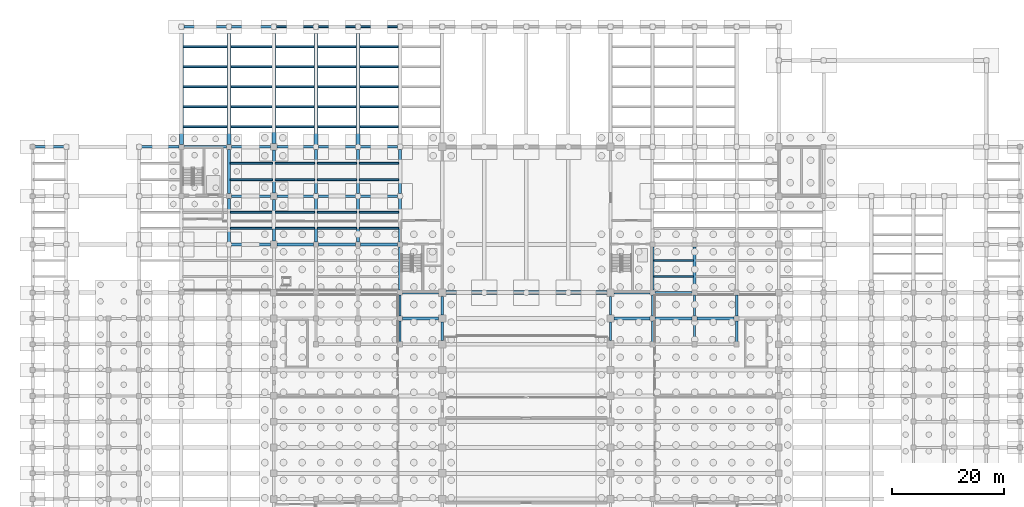
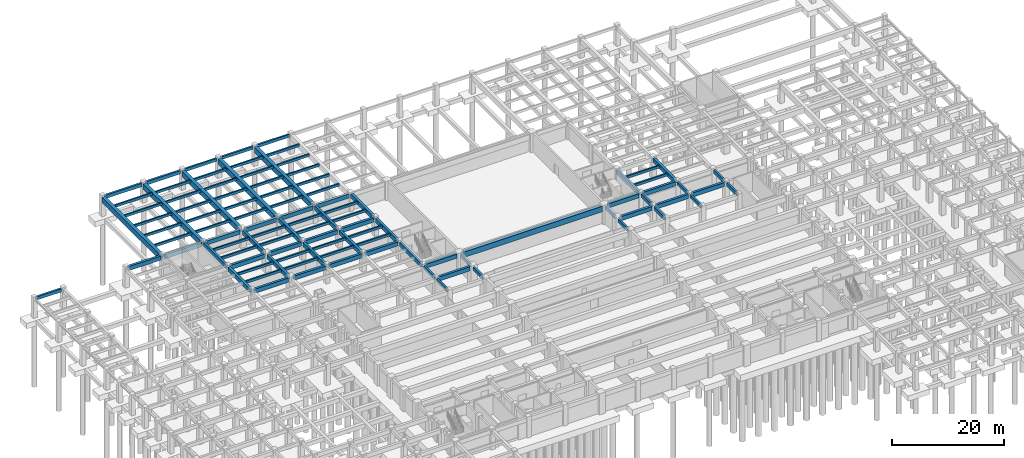
# One storey, part 16 of 32: 101 beams.
"""IFC4 building model written with IfcOpenShell, lengths in metres."""

import ifcopenshell
import ifcopenshell.guid

model = None  # the IFC model being written
_history = None  # IfcOwnerHistory: only IFC2X3 demands one
_inside = {}  # id of a spatial element -> (the spatial element, [elements in it])
_under = {}  # id of a project, library or spatial element -> (it, [spatial elements below it])
_declared = {}  # id of a project -> (the project, [libraries it declares])
_typed = {}  # id of a type object -> (the type object, [elements of that type])
_made_of = {}  # id of a material, layer set ... -> (it, [elements and type objects made of it])


def new_model(schema):
    """Start an empty IFC model of exactly this schema.

    Asked for "IFC4X3", IfcOpenShell would pick the latest addendum, in which some entities
    have other attributes; the version numbers below select the first issue.
    IFC2X3 requires an IfcOwnerHistory on every rooted entity: one is made here for all.
    """
    global model, _history
    if schema == "IFC4X3":
        model = ifcopenshell.file(schema_version=(4, 3, 0, 0))
    else:
        model = ifcopenshell.file(schema=schema)
    _inside.clear()
    _under.clear()
    _declared.clear()
    _typed.clear()
    _made_of.clear()
    _history = None
    if model.schema == "IFC2X3":
        org = make("IfcOrganization", Name="unknown")
        user = make(
            "IfcPersonAndOrganization",
            ThePerson=make("IfcPerson", FamilyName="unknown"),
            TheOrganization=org,
        )
        app = make(
            "IfcApplication",
            ApplicationDeveloper=org,
            Version="unknown",
            ApplicationFullName="unknown",
            ApplicationIdentifier="unknown",
        )
        _history = make(
            "IfcOwnerHistory",
            OwningUser=user,
            OwningApplication=app,
            ChangeAction="ADDED",
            CreationDate=0,
        )
    return model


def make(cls, **values):
    """One entity of the class cls with the attributes given. An attribute that is None is left unset."""
    return model.create_entity(
        cls, **{name: value for name, value in values.items() if value is not None}
    )


def rooted(cls, **values):
    """An entity with a GlobalId (a new one), such as an element, a storey or a relation."""
    return make(cls, GlobalId=ifcopenshell.guid.new(), OwnerHistory=_history, **values)


def si_unit(unit_type, name, prefix=None):
    """IfcSIUnit, for example si_unit("LENGTHUNIT", "METRE", prefix="MILLI")."""
    return make("IfcSIUnit", UnitType=unit_type, Prefix=prefix, Name=name)


def assignment(units):
    """IfcUnitAssignment: the units of a project."""
    return None if units is None else make("IfcUnitAssignment", Units=units)


def point(xyz):
    """IfcCartesianPoint."""
    return None if xyz is None else make("IfcCartesianPoint", Coordinates=xyz)


def direction(xyz):
    """IfcDirection."""
    return None if xyz is None else make("IfcDirection", DirectionRatios=xyz)


def frame(location, z_axis=None, x_axis=None):
    """IfcAxis2Placement3D, a coordinate frame: its origin and axes. An axis left out is left unset."""
    return make(
        "IfcAxis2Placement3D",
        Location=point(location),
        Axis=direction(z_axis),
        RefDirection=direction(x_axis),
    )


def frame_2d(location, x_axis=None):
    """IfcAxis2Placement2D, a coordinate frame in the plane: its origin and x axis."""
    return make(
        "IfcAxis2Placement2D", Location=point(location), RefDirection=direction(x_axis)
    )


def origin():
    """The frame at (0, 0, 0) with its axes left unset."""
    return frame((0.0, 0.0, 0.0))


def origin_2d():
    """The frame at (0, 0) in the plane with its x axis left unset."""
    return frame_2d((0.0, 0.0))


def place(relative_to, where):
    """IfcLocalPlacement: puts the frame where relative to a parent placement (None: the world)."""
    return make(
        "IfcLocalPlacement", PlacementRelTo=relative_to, RelativePlacement=where
    )


def context(
    kind, dimensions, precision=None, world=None, true_north=None, identifier=None
):
    """IfcGeometricRepresentationContext, for example the 3D "Model" context."""
    return make(
        "IfcGeometricRepresentationContext",
        ContextIdentifier=identifier,
        ContextType=kind,
        CoordinateSpaceDimension=dimensions,
        Precision=precision,
        WorldCoordinateSystem=world,
        TrueNorth=true_north,
    )


def subcontext(parent, identifier, kind, view, scale=None):
    """IfcGeometricRepresentationSubContext, for example "Body" below "Model"."""
    return make(
        "IfcGeometricRepresentationSubContext",
        ContextIdentifier=identifier,
        ContextType=kind,
        ParentContext=parent,
        TargetScale=scale,
        TargetView=view,
    )


def project(units=None, contexts=None):
    """IfcProject with its units and contexts."""
    return rooted(
        "IfcProject",
        Name="project",
        RepresentationContexts=contexts,
        UnitsInContext=assignment(units),
    )


def spatial(cls, under=None, at=None, **own):
    """A site, building, storey or space (cls), placed at a placement, below another one or the project."""
    s = rooted(cls, ObjectPlacement=at, **own)
    if under is not None:
        _under.setdefault(under.id(), (under, []))[1].append(s)
    return s


def profile(cls, at=None, kind="AREA", **sizes):
    """A parametric profile (cls). Its sizes go by their IFC names, for example OverallWidth=200.0."""
    return make(cls, ProfileType=kind, Position=at, **sizes)


def rectangle(**sizes):
    """IfcRectangleProfileDef."""
    return profile("IfcRectangleProfileDef", **sizes)


def extrude(swept, where, along, depth):
    """IfcExtrudedAreaSolid: the profile swept, set in the frame where, extruded along a direction by depth."""
    return make(
        "IfcExtrudedAreaSolid",
        SweptArea=swept,
        Position=where,
        ExtrudedDirection=direction(along),
        Depth=depth,
    )


def shape(context_of_items, identifier, shape_type, items):
    """IfcShapeRepresentation: the items that make up one representation, for example the "Body"."""
    return make(
        "IfcShapeRepresentation",
        ContextOfItems=context_of_items,
        RepresentationIdentifier=identifier,
        RepresentationType=shape_type,
        Items=items,
    )


def material(Name=None, Category=None):
    """IfcMaterial."""
    return make("IfcMaterial", Name=Name, Category=Category)


def material_profile(
    of_material, cross_section, Name=None, Category=None, Priority=None
):
    """IfcMaterialProfile: a cross section and its material."""
    return make(
        "IfcMaterialProfile",
        Name=Name,
        Material=of_material,
        Profile=cross_section,
        Priority=Priority,
        Category=Category,
    )


def profile_set(profiles, Name=None, composite=None):
    """IfcMaterialProfileSet."""
    return make(
        "IfcMaterialProfileSet",
        Name=Name,
        MaterialProfiles=profiles,
        CompositeProfile=composite,
    )


def made_of(thing, what):
    """Note that an element or type object is made of a material, layer set ...; save() writes the relation."""
    if what is not None:
        _made_of.setdefault(what.id(), (what, []))[1].append(thing)
    return thing


def type_object(cls, material=None, **own):
    """A type object (cls), such as IfcWallType, which elements share."""
    return made_of(rooted(cls, **own), material)


def element(
    cls,
    number,
    at=None,
    inside=None,
    cuts=None,
    type_object=None,
    material=None,
    context=None,
    identifier="Body",
    shape_type=None,
    held_by="IfcProductDefinitionShape",
    body=None,
    shapes=None,
    **own,
):
    """One element of the class cls, such as IfcWall. Its Tag is "e" and its number.

    at: its placement. inside: the storey or other place that contains it. cuts: it is an
    opening in that element (IfcRelVoidsElement). A single representation is given by context,
    identifier, shape_type and body (its items); several are given by shapes. held_by: the class
    of the entity that holds the representations. save() writes the other relations.
    """
    e = rooted(cls, Tag="e%d" % number, ObjectPlacement=at, **own)
    if body is not None:
        shapes = [shape(context, identifier, shape_type, body)]
    if shapes is not None:
        e.Representation = make(held_by, Representations=shapes)
    if inside is not None:
        _inside.setdefault(inside.id(), (inside, []))[1].append(e)
    if cuts is not None:
        rooted(
            "IfcRelVoidsElement", RelatingBuildingElement=cuts, RelatedOpeningElement=e
        )
    if type_object is not None:
        _typed.setdefault(type_object.id(), (type_object, []))[1].append(e)
    return made_of(e, material)


def aggregate(whole, parts):
    """IfcRelAggregates: a whole, such as a stair, and the parts it consists of."""
    return rooted("IfcRelAggregates", RelatingObject=whole, RelatedObjects=parts)


def save(model, path):
    """Write the relations noted so far, then the file.

    IfcRelAggregates (storeys below a building ...), IfcRelContainedInSpatialStructure (elements
    in a storey), IfcRelDefinesByType, IfcRelAssociatesMaterial and IfcRelDeclares: one each for
    every whole, place, type object, material and project.
    """
    for whole, parts in _under.values():
        aggregate(whole, parts)
    for where, things in _inside.values():
        rooted(
            "IfcRelContainedInSpatialStructure",
            RelatedElements=things,
            RelatingStructure=where,
        )
    for kind, things in _typed.values():
        rooted("IfcRelDefinesByType", RelatedObjects=things, RelatingType=kind)
    for what, things in _made_of.values():
        rooted("IfcRelAssociatesMaterial", RelatedObjects=things, RelatingMaterial=what)
    for by, libraries in _declared.values():
        rooted("IfcRelDeclares", RelatingContext=by, RelatedDefinitions=libraries)
    model.write(path)


model = new_model("IFC4")

# Units and contexts
model_context = context("Model", 3, precision=1e-05, world=origin(), true_north=direction((0.0, 1.0)))
body_context = subcontext(model_context, "Body", "Model", "MODEL_VIEW")
ifc_project = project(units=[si_unit("LENGTHUNIT", "METRE"), si_unit("AREAUNIT", "SQUARE_METRE"), si_unit("VOLUMEUNIT", "CUBIC_METRE"), si_unit("PLANEANGLEUNIT", "RADIAN"), si_unit("MASSUNIT", "GRAM", prefix="KILO")], contexts=[model_context])

# Site, building, storey
site_placement = place(None, origin())
site = spatial("IfcSite", under=ifc_project, at=site_placement, CompositionType="ELEMENT")
building_placement = place(site_placement, origin())
building = spatial("IfcBuilding", under=site, at=building_placement, Name="Muzn Square Opera House", CompositionType="ELEMENT")
storey_placement = place(building_placement, frame((0.0, 0.0, -4.199951171875)))
storey = spatial("IfcBuildingStorey", under=building, at=storey_placement, Name="B1", CompositionType="ELEMENT", Elevation=-4.199951171875)

# Beams
ifc_material = material(Name="Concrete C40/50", Category="concrete")
ifc_material_profile_1 = material_profile(ifc_material, rectangle(XDim=0.300048828125, YDim=0.550048828125, at=origin_2d()), Name="RCJ 300x550", Category="concrete")
ifc_profile_set_1 = profile_set([ifc_material_profile_1], Name="Concrete C40/50")
beam_type_1 = type_object("IfcBeamType", Name="Floor Joist 300x550", PredefinedType="JOIST", material=ifc_profile_set_1)
for number, where, z_axis, x_axis, name in (
    (1, (26.842041015625, 102.166748046875, 3.56494140625), (1.0, 0.0, 0.0), (0.0, 1.0, 0.0), "Floor Joist BM-B1-BM-J550-268_1022_347_1022-601"),
    (2, (26.842041015625, 105.7333984375, 3.56494140625), (1.0, 0.0, 0.0), (0.0, 1.0, 0.0), "Floor Joist BM-B1-BM-J550-268_1057_347_1057-602"),
    (3, (26.842041015625, 109.300048828125, 3.56494140625), (1.0, 0.0, 0.0), (0.0, 1.0, 0.0), "Floor Joist BM-B1-BM-J550-268_1093_347_1093-603"),
    (4, (26.842041015625, 112.86669921875, 3.56494140625), (1.0, 0.0, 0.0), (0.0, 1.0, 0.0), "Floor Joist BM-B1-BM-J550-268_1129_347_1129-604"),
    (5, (26.842041015625, 116.433349609375, 3.56494140625), (1.0, 0.0, 0.0), (0.0, 1.0, 0.0), "Floor Joist BM-B1-BM-J550-268_1164_347_1164-605"),
):
    element("IfcBeam", number, at=place(storey_placement, frame(where, z_axis=z_axis, x_axis=x_axis)), inside=storey, type_object=beam_type_1, Name=name, PredefinedType="JOIST", context=body_context, shape_type="SweptSolid", body=[
        extrude(rectangle(XDim=0.300048828125, YDim=0.550048828125, at=origin_2d()), origin(), (0.0, 0.0, 1.0), 7.81591796875),
    ])
for number, where, z_axis, x_axis, name in (
    (6, (35.241943359375, 84.066650390625, 3.60498046875), (1.0, 0.0, 0.0), (0.0, 1.0, 0.0), "Floor Joist BM-B1-BM-J550-352_841_428_841-610"),
    (7, (35.241943359375, 86.933349609375, 3.60498046875), (1.0, 0.0, 0.0), (0.0, 1.0, 0.0), "Floor Joist BM-B1-BM-J550-352_869_428_869-611"),
    (8, (35.241943359375, 92.7333984375, 3.60498046875), (1.0, 0.0, 0.0), (0.0, 1.0, 0.0), "Floor Joist BM-B1-BM-J550-352_927_428_927-612"),
    (9, (35.241943359375, 95.666748046875, 3.60498046875), (1.0, 0.0, 0.0), (0.0, 1.0, 0.0), "Floor Joist BM-B1-BM-J550-352_957_428_957-613"),
):
    element("IfcBeam", number, at=place(storey_placement, frame(where, z_axis=z_axis, x_axis=x_axis)), inside=storey, type_object=beam_type_1, Name=name, PredefinedType="JOIST", context=body_context, shape_type="SweptSolid", body=[
        extrude(rectangle(XDim=0.300048828125, YDim=0.550048828125, at=origin_2d()), origin(), (0.0, 0.0, 1.0), 7.51611328125),
    ])
for number, where, z_axis, x_axis, name in (
    (10, (35.342041015625, 102.166748046875, 3.56494140625), (1.0, 0.0, 0.0), (0.0, 1.0, 0.0), "Floor Joist BM-B1-BM-J550-353_1022_427_1022-614"),
    (11, (35.342041015625, 105.7333984375, 3.56494140625), (1.0, 0.0, 0.0), (0.0, 1.0, 0.0), "Floor Joist BM-B1-BM-J550-353_1057_427_1057-615"),
    (12, (35.342041015625, 109.300048828125, 3.56494140625), (1.0, 0.0, 0.0), (0.0, 1.0, 0.0), "Floor Joist BM-B1-BM-J550-353_1093_427_1093-616"),
    (13, (35.342041015625, 112.86669921875, 3.56494140625), (1.0, 0.0, 0.0), (0.0, 1.0, 0.0), "Floor Joist BM-B1-BM-J550-353_1129_427_1129-617"),
    (14, (35.342041015625, 116.433349609375, 3.56494140625), (1.0, 0.0, 0.0), (0.0, 1.0, 0.0), "Floor Joist BM-B1-BM-J550-353_1164_427_1164-618"),
):
    element("IfcBeam", number, at=place(storey_placement, frame(where, z_axis=z_axis, x_axis=x_axis)), inside=storey, type_object=beam_type_1, Name=name, PredefinedType="JOIST", context=body_context, shape_type="SweptSolid", body=[
        extrude(rectangle(XDim=0.300048828125, YDim=0.550048828125, at=origin_2d()), origin(), (0.0, 0.0, 1.0), 7.31591796875),
    ])
for number, where, z_axis, x_axis, name in (
    (15, (43.241943359375, 84.066650390625, 3.60498046875), (1.0, 0.0, 0.0), (0.0, 1.0, 0.0), "Floor Joist BM-B1-BM-J550-432_841_503_841-623"),
    (16, (43.241943359375, 86.933349609375, 3.60498046875), (1.0, 0.0, 0.0), (0.0, 1.0, 0.0), "Floor Joist BM-B1-BM-J550-432_869_503_869-624"),
    (17, (43.241943359375, 92.7333984375, 3.60498046875), (1.0, 0.0, 0.0), (0.0, 1.0, 0.0), "Floor Joist BM-B1-BM-J550-432_927_503_927-625"),
    (18, (43.241943359375, 95.666748046875, 3.60498046875), (1.0, 0.0, 0.0), (0.0, 1.0, 0.0), "Floor Joist BM-B1-BM-J550-432_957_503_957-626"),
):
    element("IfcBeam", number, at=place(storey_placement, frame(where, z_axis=z_axis, x_axis=x_axis)), inside=storey, type_object=beam_type_1, Name=name, PredefinedType="JOIST", context=body_context, shape_type="SweptSolid", body=[
        extrude(rectangle(XDim=0.300048828125, YDim=0.550048828125, at=origin_2d()), origin(), (0.0, 0.0, 1.0), 7.01611328125),
    ])
for number, where, z_axis, x_axis, name in (
    (19, (43.342041015625, 102.166748046875, 3.56494140625), (1.0, 0.0, 0.0), (0.0, 1.0, 0.0), "Floor Joist BM-B1-BM-J550-433_1022_502_1022-627"),
    (20, (43.342041015625, 105.7333984375, 3.56494140625), (1.0, 0.0, 0.0), (0.0, 1.0, 0.0), "Floor Joist BM-B1-BM-J550-433_1057_502_1057-628"),
    (21, (43.342041015625, 109.300048828125, 3.56494140625), (1.0, 0.0, 0.0), (0.0, 1.0, 0.0), "Floor Joist BM-B1-BM-J550-433_1093_502_1093-629"),
    (22, (43.342041015625, 112.86669921875, 3.56494140625), (1.0, 0.0, 0.0), (0.0, 1.0, 0.0), "Floor Joist BM-B1-BM-J550-433_1129_502_1129-630"),
    (23, (43.342041015625, 116.433349609375, 3.56494140625), (1.0, 0.0, 0.0), (0.0, 1.0, 0.0), "Floor Joist BM-B1-BM-J550-433_1164_502_1164-631"),
):
    element("IfcBeam", number, at=place(storey_placement, frame(where, z_axis=z_axis, x_axis=x_axis)), inside=storey, type_object=beam_type_1, Name=name, PredefinedType="JOIST", context=body_context, shape_type="SweptSolid", body=[
        extrude(rectangle(XDim=0.300048828125, YDim=0.550048828125, at=origin_2d()), origin(), (0.0, 0.0, 1.0), 6.81591796875),
    ])
for number, where, z_axis, x_axis, name in (
    (24, (50.741943359375, 84.066650390625, 3.60498046875), (1.0, 0.0, 0.0), (0.0, 1.0, 0.0), "Floor Joist BM-B1-BM-J550-507_841_578_841-634"),
    (25, (50.741943359375, 86.933349609375, 3.60498046875), (1.0, 0.0, 0.0), (0.0, 1.0, 0.0), "Floor Joist BM-B1-BM-J550-507_869_578_869-635"),
    (26, (50.741943359375, 92.7333984375, 3.60498046875), (1.0, 0.0, 0.0), (0.0, 1.0, 0.0), "Floor Joist BM-B1-BM-J550-507_927_578_927-636"),
    (27, (50.741943359375, 95.666748046875, 3.60498046875), (1.0, 0.0, 0.0), (0.0, 1.0, 0.0), "Floor Joist BM-B1-BM-J550-507_957_578_957-637"),
):
    element("IfcBeam", number, at=place(storey_placement, frame(where, z_axis=z_axis, x_axis=x_axis)), inside=storey, type_object=beam_type_1, Name=name, PredefinedType="JOIST", context=body_context, shape_type="SweptSolid", body=[
        extrude(rectangle(XDim=0.300048828125, YDim=0.550048828125, at=origin_2d()), origin(), (0.0, 0.0, 1.0), 7.01611328125),
    ])
for number, where, z_axis, x_axis, name in (
    (28, (50.842041015625, 102.166748046875, 3.56494140625), (1.0, 0.0, 0.0), (0.0, 1.0, 0.0), "Floor Joist BM-B1-BM-J550-508_1022_577_1022-638"),
    (29, (50.842041015625, 105.7333984375, 3.56494140625), (1.0, 0.0, 0.0), (0.0, 1.0, 0.0), "Floor Joist BM-B1-BM-J550-508_1057_577_1057-639"),
    (30, (50.842041015625, 109.300048828125, 3.56494140625), (1.0, 0.0, 0.0), (0.0, 1.0, 0.0), "Floor Joist BM-B1-BM-J550-508_1093_577_1093-640"),
    (31, (50.842041015625, 112.86669921875, 3.56494140625), (1.0, 0.0, 0.0), (0.0, 1.0, 0.0), "Floor Joist BM-B1-BM-J550-508_1129_577_1129-641"),
    (32, (50.842041015625, 116.433349609375, 3.56494140625), (1.0, 0.0, 0.0), (0.0, 1.0, 0.0), "Floor Joist BM-B1-BM-J550-508_1164_577_1164-642"),
):
    element("IfcBeam", number, at=place(storey_placement, frame(where, z_axis=z_axis, x_axis=x_axis)), inside=storey, type_object=beam_type_1, Name=name, PredefinedType="JOIST", context=body_context, shape_type="SweptSolid", body=[
        extrude(rectangle(XDim=0.300048828125, YDim=0.550048828125, at=origin_2d()), origin(), (0.0, 0.0, 1.0), 6.81591796875),
    ])
for number, where, z_axis, x_axis, name in (
    (33, (58.241943359375, 84.066650390625, 3.60498046875), (1.0, 0.0, 0.0), (0.0, 1.0, 0.0), "Floor Joist BM-B1-BM-J550-582_841_653_841-645"),
    (34, (58.241943359375, 86.933349609375, 3.60498046875), (1.0, 0.0, 0.0), (0.0, 1.0, 0.0), "Floor Joist BM-B1-BM-J550-582_869_653_869-646"),
    (35, (58.241943359375, 92.7333984375, 3.60498046875), (1.0, 0.0, 0.0), (0.0, 1.0, 0.0), "Floor Joist BM-B1-BM-J550-582_927_653_927-647"),
    (36, (58.241943359375, 95.666748046875, 3.60498046875), (1.0, 0.0, 0.0), (0.0, 1.0, 0.0), "Floor Joist BM-B1-BM-J550-582_957_653_957-648"),
):
    element("IfcBeam", number, at=place(storey_placement, frame(where, z_axis=z_axis, x_axis=x_axis)), inside=storey, type_object=beam_type_1, Name=name, PredefinedType="JOIST", context=body_context, shape_type="SweptSolid", body=[
        extrude(rectangle(XDim=0.300048828125, YDim=0.550048828125, at=origin_2d()), origin(), (0.0, 0.0, 1.0), 7.01611328125),
    ])
for number, where, z_axis, x_axis, name in (
    (37, (58.342041015625, 102.166748046875, 3.56494140625), (1.0, 0.0, 0.0), (0.0, 1.0, 0.0), "Floor Joist BM-B1-BM-J550-583_1022_652_1022-649"),
    (38, (58.342041015625, 105.7333984375, 3.56494140625), (1.0, 0.0, 0.0), (0.0, 1.0, 0.0), "Floor Joist BM-B1-BM-J550-583_1057_652_1057-650"),
    (39, (58.342041015625, 109.300048828125, 3.56494140625), (1.0, 0.0, 0.0), (0.0, 1.0, 0.0), "Floor Joist BM-B1-BM-J550-583_1093_652_1093-651"),
    (40, (58.342041015625, 112.86669921875, 3.56494140625), (1.0, 0.0, 0.0), (0.0, 1.0, 0.0), "Floor Joist BM-B1-BM-J550-583_1129_652_1129-652"),
    (41, (58.342041015625, 116.433349609375, 3.56494140625), (1.0, 0.0, 0.0), (0.0, 1.0, 0.0), "Floor Joist BM-B1-BM-J550-583_1164_652_1164-653"),
):
    element("IfcBeam", number, at=place(storey_placement, frame(where, z_axis=z_axis, x_axis=x_axis)), inside=storey, type_object=beam_type_1, Name=name, PredefinedType="JOIST", context=body_context, shape_type="SweptSolid", body=[
        extrude(rectangle(XDim=0.300048828125, YDim=0.550048828125, at=origin_2d()), origin(), (0.0, 0.0, 1.0), 6.81591796875),
    ])
for number, where, z_axis, x_axis, name in (
    (42, (110.741943359375, 75.466796875, 3.60498046875), (1.0, 0.0, 0.0), (0.0, 1.0, 0.0), "Floor Joist BM-B1-BM-J550-1107_755_1178_755-664"),
    (43, (110.741943359375, 78.333251953125, 3.60498046875), (1.0, 0.0, 0.0), (0.0, 1.0, 0.0), "Floor Joist BM-B1-BM-J550-1107_783_1178_783-665"),
):
    element("IfcBeam", number, at=place(storey_placement, frame(where, z_axis=z_axis, x_axis=x_axis)), inside=storey, type_object=beam_type_1, Name=name, PredefinedType="JOIST", context=body_context, shape_type="SweptSolid", body=[
        extrude(rectangle(XDim=0.300048828125, YDim=0.550048828125, at=origin_2d()), origin(), (0.0, 0.0, 1.0), 7.01611328125),
    ])
ifc_material_profile_2 = material_profile(ifc_material, rectangle(XDim=0.39990234375, YDim=0.699951171875, at=origin_2d()), Name="RCB 400x700", Category="concrete")
ifc_profile_set_2 = profile_set([ifc_material_profile_2], Name="Concrete C40/50")
beam_type_2 = type_object("IfcBeamType", Name="Primary Girder 400x700", PredefinedType="BEAM", material=ifc_profile_set_2)
beam_1_placement = place(storey_placement, frame((0.4169921875, 98.60009765625, 3.530029296875), z_axis=(1.0, 0.0, 0.0), x_axis=(0.0, 1.0, 0.0)))
element("IfcBeam", 44, at=beam_1_placement, inside=storey, type_object=beam_type_2, Name="Primary Girder BM-B1-BM-PG700-4_986_56_986-258", PredefinedType="BEAM", context=body_context, shape_type="SweptSolid", body=[
    extrude(rectangle(XDim=0.39990234375, YDim=0.699951171875, at=origin_2d()), origin(), (0.0, 0.0, 1.0), 5.14111328125),
])
for number, where, z_axis, x_axis, name in (
    (45, (65.5, 63.842041015625, 3.530029296875), (0.0, 1.0, 0.0), (-1.0, 0.0, 0.0), "Primary Girder BM-B1-BM-PG700-655_638_655_676-418"),
    (46, (65.5, 68.44189453125, 3.530029296875), (0.0, 1.0, 0.0), (-1.0, 0.0, 0.0), "Primary Girder BM-B1-BM-PG700-655_684_655_722-419"),
):
    element("IfcBeam", number, at=place(storey_placement, frame(where, z_axis=z_axis, x_axis=x_axis)), inside=storey, type_object=beam_type_2, Name=name, PredefinedType="BEAM", context=body_context, shape_type="SweptSolid", body=[
        extrude(rectangle(XDim=0.39990234375, YDim=0.699951171875, at=origin_2d()), origin(), (0.0, 0.0, 1.0), 3.716064453125),
    ])
for number, where, z_axis, x_axis, name in (
    (47, (73.0, 64.0419921875, 3.530029296875), (0.0, 1.0, 0.0), (-1.0, 0.0, 0.0), "Primary Girder BM-B1-BM-PG700-730_640_730_674-433"),
    (48, (73.0, 68.64208984375, 3.530029296875), (0.0, 1.0, 0.0), (-1.0, 0.0, 0.0), "Primary Girder BM-B1-BM-PG700-730_686_730_720-434"),
    (49, (103.0, 64.0419921875, 3.530029296875), (0.0, 1.0, 0.0), (-1.0, 0.0, 0.0), "Primary Girder BM-B1-BM-PG700-1030_640_1030_674-445"),
    (50, (103.0, 68.64208984375, 3.530029296875), (0.0, 1.0, 0.0), (-1.0, 0.0, 0.0), "Primary Girder BM-B1-BM-PG700-1030_686_1030_720-446"),
):
    element("IfcBeam", number, at=place(storey_placement, frame(where, z_axis=z_axis, x_axis=x_axis)), inside=storey, type_object=beam_type_2, Name=name, PredefinedType="BEAM", context=body_context, shape_type="SweptSolid", body=[
        extrude(rectangle(XDim=0.39990234375, YDim=0.699951171875, at=origin_2d()), origin(), (0.0, 0.0, 1.0), 3.31591796875),
    ])
for number, where, z_axis, x_axis, name in (
    (51, (110.5, 63.842041015625, 3.530029296875), (0.0, 1.0, 0.0), (-1.0, 0.0, 0.0), "Primary Girder BM-B1-BM-PG700-1105_638_1105_676-451"),
    (52, (110.5, 68.44189453125, 3.530029296875), (0.0, 1.0, 0.0), (-1.0, 0.0, 0.0), "Primary Girder BM-B1-BM-PG700-1105_684_1105_722-452"),
    (53, (118.0, 63.842041015625, 3.530029296875), (0.0, 1.0, 0.0), (-1.0, 0.0, 0.0), "Primary Girder BM-B1-BM-PG700-1180_638_1180_676-460"),
    (54, (118.0, 68.44189453125, 3.530029296875), (0.0, 1.0, 0.0), (-1.0, 0.0, 0.0), "Primary Girder BM-B1-BM-PG700-1180_684_1180_722-461"),
    (55, (125.5, 63.842041015625, 3.530029296875), (0.0, 1.0, 0.0), (-1.0, 0.0, 0.0), "Primary Girder BM-B1-BM-PG700-1255_638_1255_676-472"),
    (56, (125.5, 68.44189453125, 3.530029296875), (0.0, 1.0, 0.0), (-1.0, 0.0, 0.0), "Primary Girder BM-B1-BM-PG700-1255_684_1255_722-473"),
):
    element("IfcBeam", number, at=place(storey_placement, frame(where, z_axis=z_axis, x_axis=x_axis)), inside=storey, type_object=beam_type_2, Name=name, PredefinedType="BEAM", context=body_context, shape_type="SweptSolid", body=[
        extrude(rectangle(XDim=0.39990234375, YDim=0.699951171875, at=origin_2d()), origin(), (0.0, 0.0, 1.0), 3.716064453125),
    ])
ifc_material_profile_3 = material_profile(ifc_material, rectangle(XDim=0.5, YDim=0.89990234375, at=origin_2d()), Name="RCB 500x900", Category="concrete")
ifc_profile_set_3 = profile_set([ifc_material_profile_3], Name="Concrete C40/50")
beam_type_3 = type_object("IfcBeamType", Name="Primary Girder 500x900", PredefinedType="BEAM", material=ifc_profile_set_3)
for number, where, z_axis, x_axis, name in (
    (57, (65.94189453125, 68.0, 3.429931640625), (1.0, 0.0, 0.0), (0.0, 1.0, 0.0), "Primary Girder BM-B1-BM-PG900-659_680_724_680-199"),
    (58, (103.64208984375, 68.0, 3.429931640625), (1.0, 0.0, 0.0), (0.0, 1.0, 0.0), "Primary Girder BM-B1-BM-PG900-1036_680_1101_680-200"),
):
    element("IfcBeam", number, at=place(storey_placement, frame(where, z_axis=z_axis, x_axis=x_axis)), inside=storey, type_object=beam_type_3, Name=name, PredefinedType="BEAM", context=body_context, shape_type="SweptSolid", body=[
        extrude(rectangle(XDim=0.5, YDim=0.89990234375, at=origin_2d()), origin(), (0.0, 0.0, 1.0), 6.416015625),
    ])
for number, where, z_axis, x_axis, name in (
    (59, (110.94189453125, 68.0, 3.429931640625), (1.0, 0.0, 0.0), (0.0, 1.0, 0.0), "Primary Girder BM-B1-BM-PG900-1109_680_1176_680-201"),
    (60, (118.44189453125, 68.0, 3.429931640625), (1.0, 0.0, 0.0), (0.0, 1.0, 0.0), "Primary Girder BM-B1-BM-PG900-1184_680_1251_680-202"),
):
    element("IfcBeam", number, at=place(storey_placement, frame(where, z_axis=z_axis, x_axis=x_axis)), inside=storey, type_object=beam_type_3, Name=name, PredefinedType="BEAM", context=body_context, shape_type="SweptSolid", body=[
        extrude(rectangle(XDim=0.5, YDim=0.89990234375, at=origin_2d()), origin(), (0.0, 0.0, 1.0), 6.6162109375),
    ])
for number, where, z_axis, x_axis, name in (
    (61, (65.94189453125, 72.60009765625, 3.429931640625), (1.0, 0.0, 0.0), (0.0, 1.0, 0.0), "Primary Girder BM-B1-BM-PG900-659_726_724_726-217"),
    (62, (103.64208984375, 72.60009765625, 3.429931640625), (1.0, 0.0, 0.0), (0.0, 1.0, 0.0), "Primary Girder BM-B1-BM-PG900-1036_726_1101_726-219"),
):
    element("IfcBeam", number, at=place(storey_placement, frame(where, z_axis=z_axis, x_axis=x_axis)), inside=storey, type_object=beam_type_3, Name=name, PredefinedType="BEAM", context=body_context, shape_type="SweptSolid", body=[
        extrude(rectangle(XDim=0.5, YDim=0.89990234375, at=origin_2d()), origin(), (0.0, 0.0, 1.0), 6.416015625),
    ])
beam_2_placement = place(storey_placement, frame((110.94189453125, 72.60009765625, 3.429931640625), z_axis=(1.0, 0.0, 0.0), x_axis=(0.0, 1.0, 0.0)))
element("IfcBeam", 63, at=beam_2_placement, inside=storey, type_object=beam_type_3, Name="Primary Girder BM-B1-BM-PG900-1109_726_1176_726-220", PredefinedType="BEAM", context=body_context, shape_type="SweptSolid", body=[
    extrude(rectangle(XDim=0.5, YDim=0.89990234375, at=origin_2d()), origin(), (0.0, 0.0, 1.0), 6.6162109375),
])
beam_3_placement = place(storey_placement, frame((35.44189453125, 81.199951171875, 3.429931640625), z_axis=(1.0, 0.0, 0.0), x_axis=(0.0, 1.0, 0.0)))
element("IfcBeam", 64, at=beam_3_placement, inside=storey, type_object=beam_type_3, Name="Primary Girder BM-B1-BM-PG900-354_812_424_812-232", PredefinedType="BEAM", context=body_context, shape_type="SweptSolid", body=[
    extrude(rectangle(XDim=0.5, YDim=0.89990234375, at=origin_2d()), origin(), (0.0, 0.0, 1.0), 6.966064453125),
])
beam_4_placement = place(storey_placement, frame((43.592041015625, 81.199951171875, 3.429931640625), z_axis=(1.0, 0.0, 0.0), x_axis=(0.0, 1.0, 0.0)))
element("IfcBeam", 65, at=beam_4_placement, inside=storey, type_object=beam_type_3, Name="Primary Girder BM-B1-BM-PG900-436_812_501_812-233", PredefinedType="BEAM", context=body_context, shape_type="SweptSolid", body=[
    extrude(rectangle(XDim=0.5, YDim=0.89990234375, at=origin_2d()), origin(), (0.0, 0.0, 1.0), 6.466064453125),
])
for number, where, z_axis, x_axis, name in (
    (66, (50.94189453125, 81.199951171875, 3.429931640625), (1.0, 0.0, 0.0), (0.0, 1.0, 0.0), "Primary Girder BM-B1-BM-PG900-509_812_576_812-234"),
    (67, (58.44189453125, 81.199951171875, 3.429931640625), (1.0, 0.0, 0.0), (0.0, 1.0, 0.0), "Primary Girder BM-B1-BM-PG900-584_812_651_812-235"),
):
    element("IfcBeam", number, at=place(storey_placement, frame(where, z_axis=z_axis, x_axis=x_axis)), inside=storey, type_object=beam_type_3, Name=name, PredefinedType="BEAM", context=body_context, shape_type="SweptSolid", body=[
        extrude(rectangle(XDim=0.5, YDim=0.89990234375, at=origin_2d()), origin(), (0.0, 0.0, 1.0), 6.6162109375),
    ])
beam_5_placement = place(storey_placement, frame((35.44189453125, 89.800048828125, 3.429931640625), z_axis=(1.0, 0.0, 0.0), x_axis=(0.0, 1.0, 0.0)))
element("IfcBeam", 68, at=beam_5_placement, inside=storey, type_object=beam_type_3, Name="Primary Girder BM-B1-BM-PG900-354_898_424_898-245", PredefinedType="BEAM", context=body_context, shape_type="SweptSolid", body=[
    extrude(rectangle(XDim=0.5, YDim=0.89990234375, at=origin_2d()), origin(), (0.0, 0.0, 1.0), 6.966064453125),
])
beam_6_placement = place(storey_placement, frame((43.592041015625, 89.800048828125, 3.429931640625), z_axis=(1.0, 0.0, 0.0), x_axis=(0.0, 1.0, 0.0)))
element("IfcBeam", 69, at=beam_6_placement, inside=storey, type_object=beam_type_3, Name="Primary Girder BM-B1-BM-PG900-436_898_501_898-246", PredefinedType="BEAM", context=body_context, shape_type="SweptSolid", body=[
    extrude(rectangle(XDim=0.5, YDim=0.89990234375, at=origin_2d()), origin(), (0.0, 0.0, 1.0), 6.466064453125),
])
for number, where, z_axis, x_axis, name in (
    (70, (50.94189453125, 89.800048828125, 3.429931640625), (1.0, 0.0, 0.0), (0.0, 1.0, 0.0), "Primary Girder BM-B1-BM-PG900-509_898_576_898-247"),
    (71, (58.44189453125, 89.800048828125, 3.429931640625), (1.0, 0.0, 0.0), (0.0, 1.0, 0.0), "Primary Girder BM-B1-BM-PG900-584_898_651_898-248"),
    (72, (19.44189453125, 98.60009765625, 3.429931640625), (1.0, 0.0, 0.0), (0.0, 1.0, 0.0), "Primary Girder BM-B1-BM-PG900-194_986_261_986-259"),
):
    element("IfcBeam", number, at=place(storey_placement, frame(where, z_axis=z_axis, x_axis=x_axis)), inside=storey, type_object=beam_type_3, Name=name, PredefinedType="BEAM", context=body_context, shape_type="SweptSolid", body=[
        extrude(rectangle(XDim=0.5, YDim=0.89990234375, at=origin_2d()), origin(), (0.0, 0.0, 1.0), 6.6162109375),
    ])
beam_7_placement = place(storey_placement, frame((26.94189453125, 98.60009765625, 3.389892578125), z_axis=(1.0, 0.0, 0.0), x_axis=(0.0, 1.0, 0.0)))
element("IfcBeam", 73, at=beam_7_placement, inside=storey, type_object=beam_type_3, Name="Primary Girder BM-B1-BM-PG900-269_986_346_986-260", PredefinedType="BEAM", context=body_context, shape_type="SweptSolid", body=[
    extrude(rectangle(XDim=0.5, YDim=0.89990234375, at=origin_2d()), origin(), (0.0, 0.0, 1.0), 7.6162109375),
])
beam_8_placement = place(storey_placement, frame((35.44189453125, 98.60009765625, 3.389892578125), z_axis=(1.0, 0.0, 0.0), x_axis=(0.0, 1.0, 0.0)))
element("IfcBeam", 74, at=beam_8_placement, inside=storey, type_object=beam_type_3, Name="Primary Girder BM-B1-BM-PG900-354_986_424_986-261", PredefinedType="BEAM", context=body_context, shape_type="SweptSolid", body=[
    extrude(rectangle(XDim=0.5, YDim=0.89990234375, at=origin_2d()), origin(), (0.0, 0.0, 1.0), 6.966064453125),
])
beam_9_placement = place(storey_placement, frame((43.592041015625, 98.60009765625, 3.389892578125), z_axis=(1.0, 0.0, 0.0), x_axis=(0.0, 1.0, 0.0)))
element("IfcBeam", 75, at=beam_9_placement, inside=storey, type_object=beam_type_3, Name="Primary Girder BM-B1-BM-PG900-436_986_501_986-262", PredefinedType="BEAM", context=body_context, shape_type="SweptSolid", body=[
    extrude(rectangle(XDim=0.5, YDim=0.89990234375, at=origin_2d()), origin(), (0.0, 0.0, 1.0), 6.466064453125),
])
for number, where, z_axis, x_axis, name in (
    (76, (50.94189453125, 98.60009765625, 3.389892578125), (1.0, 0.0, 0.0), (0.0, 1.0, 0.0), "Primary Girder BM-B1-BM-PG900-509_986_576_986-263"),
    (77, (58.44189453125, 98.60009765625, 3.389892578125), (1.0, 0.0, 0.0), (0.0, 1.0, 0.0), "Primary Girder BM-B1-BM-PG900-584_986_651_986-264"),
):
    element("IfcBeam", number, at=place(storey_placement, frame(where, z_axis=z_axis, x_axis=x_axis)), inside=storey, type_object=beam_type_3, Name=name, PredefinedType="BEAM", context=body_context, shape_type="SweptSolid", body=[
        extrude(rectangle(XDim=0.5, YDim=0.89990234375, at=origin_2d()), origin(), (0.0, 0.0, 1.0), 6.6162109375),
    ])
beam_10_placement = place(storey_placement, frame((35.0, 81.64208984375, 3.429931640625), z_axis=(0.0, 1.0, 0.0), x_axis=(-1.0, 0.0, 0.0)))
element("IfcBeam", 78, at=beam_10_placement, inside=storey, type_object=beam_type_3, Name="Primary Girder BM-B1-BM-PG900-350_816_350_894-373", PredefinedType="BEAM", context=body_context, shape_type="SweptSolid", body=[
    extrude(rectangle(XDim=0.5, YDim=0.89990234375, at=origin_2d()), origin(), (0.0, 0.0, 1.0), 7.7158203125),
])
beam_11_placement = place(storey_placement, frame((35.0, 90.241943359375, 3.429931640625), z_axis=(0.0, 1.0, 0.0), x_axis=(-1.0, 0.0, 0.0)))
element("IfcBeam", 79, at=beam_11_placement, inside=storey, type_object=beam_type_3, Name="Primary Girder BM-B1-BM-PG900-350_902_350_982-374", PredefinedType="BEAM", context=body_context, shape_type="SweptSolid", body=[
    extrude(rectangle(XDim=0.5, YDim=0.89990234375, at=origin_2d()), origin(), (0.0, 0.0, 1.0), 7.916015625),
])
beam_12_placement = place(storey_placement, frame((43.0, 81.7919921875, 3.429931640625), z_axis=(0.0, 1.0, 0.0), x_axis=(-1.0, 0.0, 0.0)))
element("IfcBeam", 80, at=beam_12_placement, inside=storey, type_object=beam_type_3, Name="Primary Girder BM-B1-BM-PG900-430_818_430_892-391", PredefinedType="BEAM", context=body_context, shape_type="SweptSolid", body=[
    extrude(rectangle(XDim=0.5, YDim=0.89990234375, at=origin_2d()), origin(), (0.0, 0.0, 1.0), 7.416015625),
])
beam_13_placement = place(storey_placement, frame((43.0, 90.39208984375, 3.429931640625), z_axis=(0.0, 1.0, 0.0), x_axis=(-1.0, 0.0, 0.0)))
element("IfcBeam", 81, at=beam_13_placement, inside=storey, type_object=beam_type_3, Name="Primary Girder BM-B1-BM-PG900-430_904_430_980-392", PredefinedType="BEAM", context=body_context, shape_type="SweptSolid", body=[
    extrude(rectangle(XDim=0.5, YDim=0.89990234375, at=origin_2d()), origin(), (0.0, 0.0, 1.0), 7.615966796875),
])
beam_14_placement = place(storey_placement, frame((50.5, 81.64208984375, 3.429931640625), z_axis=(0.0, 1.0, 0.0), x_axis=(-1.0, 0.0, 0.0)))
element("IfcBeam", 82, at=beam_14_placement, inside=storey, type_object=beam_type_3, Name="Primary Girder BM-B1-BM-PG900-505_816_505_894-403", PredefinedType="BEAM", context=body_context, shape_type="SweptSolid", body=[
    extrude(rectangle(XDim=0.5, YDim=0.89990234375, at=origin_2d()), origin(), (0.0, 0.0, 1.0), 7.7158203125),
])
beam_15_placement = place(storey_placement, frame((50.5, 90.241943359375, 3.429931640625), z_axis=(0.0, 1.0, 0.0), x_axis=(-1.0, 0.0, 0.0)))
element("IfcBeam", 83, at=beam_15_placement, inside=storey, type_object=beam_type_3, Name="Primary Girder BM-B1-BM-PG900-505_902_505_982-404", PredefinedType="BEAM", context=body_context, shape_type="SweptSolid", body=[
    extrude(rectangle(XDim=0.5, YDim=0.89990234375, at=origin_2d()), origin(), (0.0, 0.0, 1.0), 7.916015625),
])
beam_16_placement = place(storey_placement, frame((58.0, 81.64208984375, 3.429931640625), z_axis=(0.0, 1.0, 0.0), x_axis=(-1.0, 0.0, 0.0)))
element("IfcBeam", 84, at=beam_16_placement, inside=storey, type_object=beam_type_3, Name="Primary Girder BM-B1-BM-PG900-580_816_580_894-412", PredefinedType="BEAM", context=body_context, shape_type="SweptSolid", body=[
    extrude(rectangle(XDim=0.5, YDim=0.89990234375, at=origin_2d()), origin(), (0.0, 0.0, 1.0), 7.7158203125),
])
beam_17_placement = place(storey_placement, frame((58.0, 90.241943359375, 3.429931640625), z_axis=(0.0, 1.0, 0.0), x_axis=(-1.0, 0.0, 0.0)))
element("IfcBeam", 85, at=beam_17_placement, inside=storey, type_object=beam_type_3, Name="Primary Girder BM-B1-BM-PG900-580_902_580_982-413", PredefinedType="BEAM", context=body_context, shape_type="SweptSolid", body=[
    extrude(rectangle(XDim=0.5, YDim=0.89990234375, at=origin_2d()), origin(), (0.0, 0.0, 1.0), 7.916015625),
])
beam_18_placement = place(storey_placement, frame((65.5, 73.0419921875, 3.429931640625), z_axis=(0.0, 1.0, 0.0), x_axis=(-1.0, 0.0, 0.0)))
element("IfcBeam", 86, at=beam_18_placement, inside=storey, type_object=beam_type_3, Name="Primary Girder BM-B1-BM-PG900-655_730_655_808-420", PredefinedType="BEAM", context=body_context, shape_type="SweptSolid", body=[
    extrude(rectangle(XDim=0.5, YDim=0.89990234375, at=origin_2d()), origin(), (0.0, 0.0, 1.0), 7.716064453125),
])
beam_19_placement = place(storey_placement, frame((65.5, 81.64208984375, 3.429931640625), z_axis=(0.0, 1.0, 0.0), x_axis=(-1.0, 0.0, 0.0)))
element("IfcBeam", 87, at=beam_19_placement, inside=storey, type_object=beam_type_3, Name="Primary Girder BM-B1-BM-PG900-655_816_655_894-421", PredefinedType="BEAM", context=body_context, shape_type="SweptSolid", body=[
    extrude(rectangle(XDim=0.5, YDim=0.89990234375, at=origin_2d()), origin(), (0.0, 0.0, 1.0), 7.7158203125),
])
beam_20_placement = place(storey_placement, frame((65.5, 90.241943359375, 3.429931640625), z_axis=(0.0, 1.0, 0.0), x_axis=(-1.0, 0.0, 0.0)))
element("IfcBeam", 88, at=beam_20_placement, inside=storey, type_object=beam_type_3, Name="Primary Girder BM-B1-BM-PG900-655_902_655_982-422", PredefinedType="BEAM", context=body_context, shape_type="SweptSolid", body=[
    extrude(rectangle(XDim=0.5, YDim=0.89990234375, at=origin_2d()), origin(), (0.0, 0.0, 1.0), 7.916015625),
])
for number, where, z_axis, x_axis, name in (
    (89, (110.5, 73.0419921875, 3.429931640625), (0.0, 1.0, 0.0), (-1.0, 0.0, 0.0), "Primary Girder BM-B1-BM-PG900-1105_730_1105_808-453"),
    (90, (118.0, 73.0419921875, 3.429931640625), (0.0, 1.0, 0.0), (-1.0, 0.0, 0.0), "Primary Girder BM-B1-BM-PG900-1180_730_1180_808-462"),
):
    element("IfcBeam", number, at=place(storey_placement, frame(where, z_axis=z_axis, x_axis=x_axis)), inside=storey, type_object=beam_type_3, Name=name, PredefinedType="BEAM", context=body_context, shape_type="SweptSolid", body=[
        extrude(rectangle(XDim=0.5, YDim=0.89990234375, at=origin_2d()), origin(), (0.0, 0.0, 1.0), 7.716064453125),
    ])
ifc_material_profile_4 = material_profile(ifc_material, rectangle(XDim=0.699951171875, YDim=1.199951171875, at=origin_2d()), Name="RCB 700x1200", Category="concrete")
ifc_profile_set_4 = profile_set([ifc_material_profile_4], Name="Concrete C40/50")
beam_type_4 = type_object("IfcBeamType", Name="Primary Girder 700x1200", PredefinedType="BEAM", material=ifc_profile_set_4)
beam_21_placement = place(storey_placement, frame((73.64208984375, 72.60009765625, 3.280029296875), z_axis=(1.0, 0.0, 0.0), x_axis=(0.0, 1.0, 0.0)))
element("IfcBeam", 91, at=beam_21_placement, inside=storey, type_object=beam_type_4, Name="Primary Girder BM-B1-BM-PG1200-736_726_1024_726-218", PredefinedType="BEAM", context=body_context, shape_type="SweptSolid", body=[
    extrude(rectangle(XDim=0.699951171875, YDim=1.199951171875, at=origin_2d()), origin(), (0.0, 0.0, 1.0), 28.7158203125),
])
for number, where, z_axis, x_axis, name in (
    (92, (26.5, 99.0419921875, 3.239990234375), (0.0, 1.0, 0.0), (-1.0, 0.0, 0.0), "Primary Girder BM-B1-BM-PG1200-265_990_265_1196-362"),
    (93, (35.0, 99.0419921875, 3.239990234375), (0.0, 1.0, 0.0), (-1.0, 0.0, 0.0), "Primary Girder BM-B1-BM-PG1200-350_990_350_1196-375"),
):
    element("IfcBeam", number, at=place(storey_placement, frame(where, z_axis=z_axis, x_axis=x_axis)), inside=storey, type_object=beam_type_4, Name=name, PredefinedType="BEAM", context=body_context, shape_type="SweptSolid", body=[
        extrude(rectangle(XDim=0.699951171875, YDim=1.199951171875, at=origin_2d()), origin(), (0.0, 0.0, 1.0), 20.51611328125),
    ])
beam_22_placement = place(storey_placement, frame((43.0, 99.19189453125, 3.239990234375), z_axis=(0.0, 1.0, 0.0), x_axis=(-1.0, 0.0, 0.0)))
element("IfcBeam", 94, at=beam_22_placement, inside=storey, type_object=beam_type_4, Name="Primary Girder BM-B1-BM-PG1200-430_992_430_1196-393", PredefinedType="BEAM", context=body_context, shape_type="SweptSolid", body=[
    extrude(rectangle(XDim=0.699951171875, YDim=1.199951171875, at=origin_2d()), origin(), (0.0, 0.0, 1.0), 20.3662109375),
])
for number, where, z_axis, x_axis, name in (
    (95, (50.5, 99.0419921875, 3.239990234375), (0.0, 1.0, 0.0), (-1.0, 0.0, 0.0), "Primary Girder BM-B1-BM-PG1200-505_990_505_1196-405"),
    (96, (58.0, 99.0419921875, 3.239990234375), (0.0, 1.0, 0.0), (-1.0, 0.0, 0.0), "Primary Girder BM-B1-BM-PG1200-580_990_580_1196-414"),
):
    element("IfcBeam", number, at=place(storey_placement, frame(where, z_axis=z_axis, x_axis=x_axis)), inside=storey, type_object=beam_type_4, Name=name, PredefinedType="BEAM", context=body_context, shape_type="SweptSolid", body=[
        extrude(rectangle(XDim=0.699951171875, YDim=1.199951171875, at=origin_2d()), origin(), (0.0, 0.0, 1.0), 20.51611328125),
    ])
ifc_material_profile_5 = material_profile(ifc_material, rectangle(XDim=0.35009765625, YDim=0.64990234375, at=origin_2d()), Name="RCS 350x650", Category="concrete")
ifc_profile_set_5 = profile_set([ifc_material_profile_5], Name="Concrete C40/50")
beam_type_5 = type_object("IfcBeamType", Name="Spandrel Beam 350x650", PredefinedType="SPANDREL", material=ifc_profile_set_5)
for number, where, z_axis, x_axis, name in (
    (97, (43.44189453125, 120.0, 3.514892578125), (1.0, 0.0, 0.0), (0.0, 1.0, 0.0), "Spandrel Beam BM-B1-BM-SP650-434_1200_501_1200-276"),
    (98, (50.94189453125, 120.0, 3.514892578125), (1.0, 0.0, 0.0), (0.0, 1.0, 0.0), "Spandrel Beam BM-B1-BM-SP650-509_1200_576_1200-277"),
    (99, (58.44189453125, 120.0, 3.514892578125), (1.0, 0.0, 0.0), (0.0, 1.0, 0.0), "Spandrel Beam BM-B1-BM-SP650-584_1200_651_1200-278"),
):
    element("IfcBeam", number, at=place(storey_placement, frame(where, z_axis=z_axis, x_axis=x_axis)), inside=storey, type_object=beam_type_5, Name=name, PredefinedType="SPANDREL", context=body_context, shape_type="SweptSolid", body=[
        extrude(rectangle(XDim=0.35009765625, YDim=0.64990234375, at=origin_2d()), origin(), (0.0, 0.0, 1.0), 6.6162109375),
    ])
ifc_material_profile_6 = material_profile(ifc_material, rectangle(XDim=0.39990234375, YDim=0.75, at=origin_2d()), Name="RCS 400x750", Category="concrete")
ifc_profile_set_6 = profile_set([ifc_material_profile_6], Name="Concrete C40/50")
beam_type_6 = type_object("IfcBeamType", Name="Spandrel Beam 400x750", PredefinedType="SPANDREL", material=ifc_profile_set_6)
beam_23_placement = place(storey_placement, frame((26.94189453125, 120.0, 3.46484375), z_axis=(1.0, 0.0, 0.0), x_axis=(0.0, 1.0, 0.0)))
element("IfcBeam", 100, at=beam_23_placement, inside=storey, type_object=beam_type_6, Name="Spandrel Beam BM-B1-BM-SP750-269_1200_346_1200-274", PredefinedType="SPANDREL", context=body_context, shape_type="SweptSolid", body=[
    extrude(rectangle(XDim=0.39990234375, YDim=0.75, at=origin_2d()), origin(), (0.0, 0.0, 1.0), 7.6162109375),
])
beam_24_placement = place(storey_placement, frame((35.44189453125, 120.0, 3.46484375), z_axis=(1.0, 0.0, 0.0), x_axis=(0.0, 1.0, 0.0)))
element("IfcBeam", 101, at=beam_24_placement, inside=storey, type_object=beam_type_6, Name="Spandrel Beam BM-B1-BM-SP750-354_1200_426_1200-275", PredefinedType="SPANDREL", context=body_context, shape_type="SweptSolid", body=[
    extrude(rectangle(XDim=0.39990234375, YDim=0.75, at=origin_2d()), origin(), (0.0, 0.0, 1.0), 7.1162109375),
])

save(model, "model.ifc")
